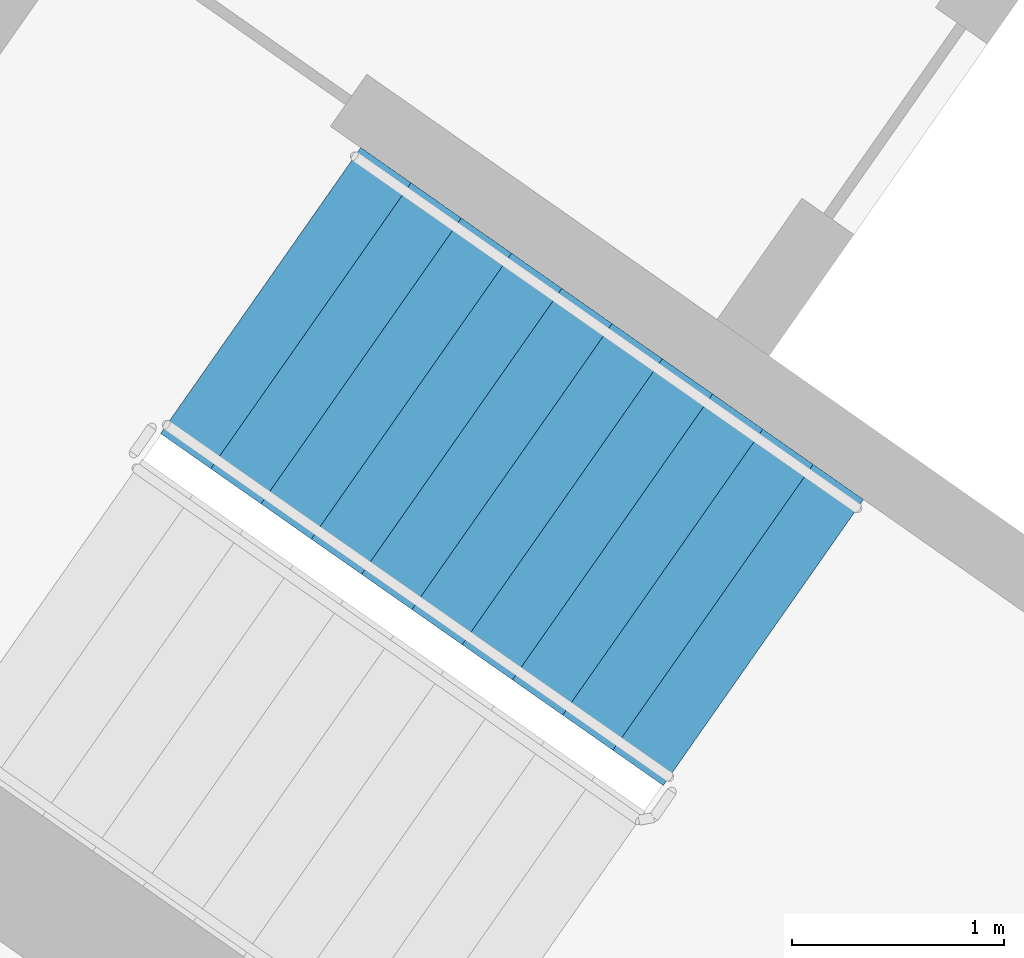
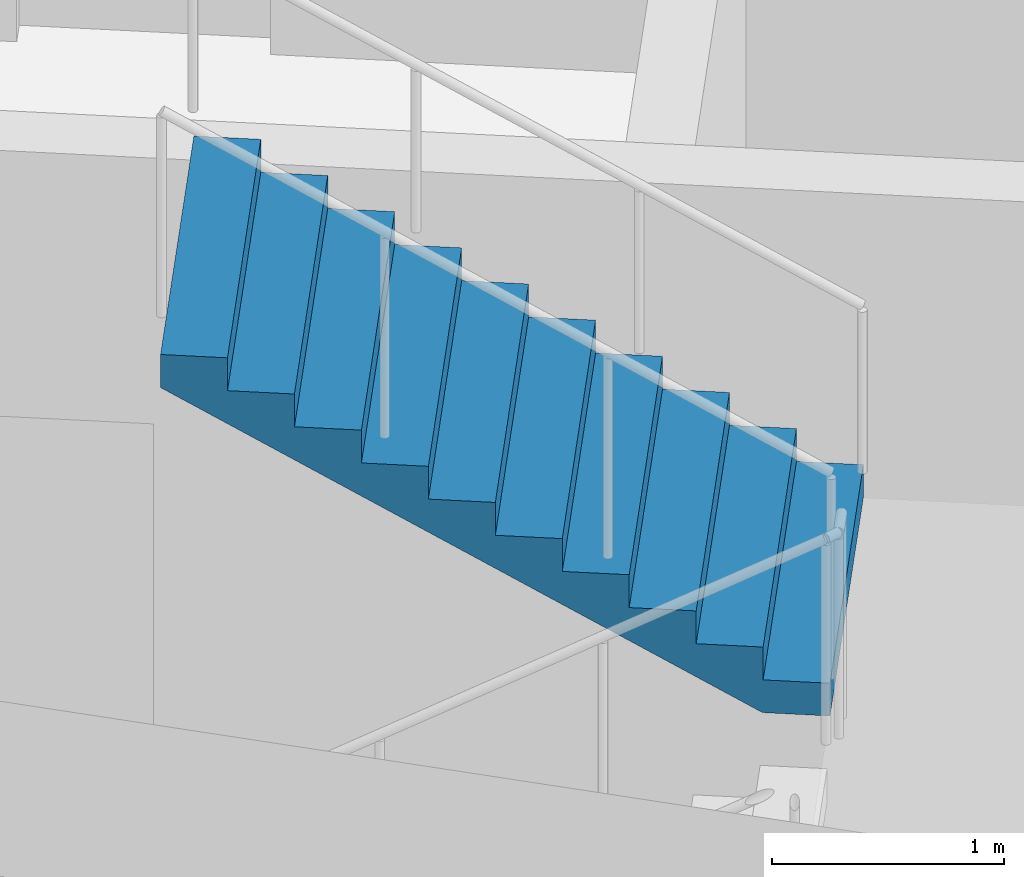
# One storey, part 11 of 28: 1 stair flight, 1 element without a shape of its own.
"""IFC4 building model written with IfcOpenShell, lengths in metres."""

from ifc_helpers import new_model, si_unit, direction, frame, origin, place, context, subcontext, project, spatial, faceted_brep, material, type_object, element, aggregate, save


model = new_model("IFC4")

# Units and contexts
model_context = context("Model", 3, precision=1e-05, world=origin(), true_north=direction((0.0, 1.0)))
body_context = subcontext(model_context, "Body", "Model", "MODEL_VIEW")
ifc_project = project(units=[si_unit("LENGTHUNIT", "METRE"), si_unit("AREAUNIT", "SQUARE_METRE"), si_unit("VOLUMEUNIT", "CUBIC_METRE"), si_unit("PLANEANGLEUNIT", "RADIAN"), si_unit("MASSUNIT", "GRAM", prefix="KILO")], contexts=[model_context])

# Site, building, storey
site_placement = place(None, origin())
site = spatial("IfcSite", under=ifc_project, at=site_placement, CompositionType="ELEMENT")
building_placement = place(site_placement, origin())
building = spatial("IfcBuilding", under=site, at=building_placement, Name="Qamariyya Broadcast Tower", CompositionType="ELEMENT")
storey_placement = place(building_placement, frame((0.0, 0.0, 277.10009765625)))
storey = spatial("IfcBuildingStorey", under=building, at=storey_placement, Name="L67", CompositionType="ELEMENT", Elevation=277.10009765625)

# Stair, stair flight
ifc_material = material(Name="Concrete C50/60", Category="concrete")
stair_type = type_object("IfcStairType", Name="Exit stair 22 risers of 173 mm", PredefinedType="HALF_TURN_STAIR", material=ifc_material)
stair_placement = place(storey_placement, origin())
stair = element("IfcStair", 1, at=stair_placement, inside=storey, type_object=stair_type, Name="L67 Stair W1", PredefinedType="HALF_TURN_STAIR")
stair_flight_type = type_object("IfcStairFlightType", Name="Exit stair flight 11 risers of 173 mm", PredefinedType="STRAIGHT", material=ifc_material)
stair_flight_placement = place(storey_placement, frame((-43.660888671875, -57.17138671875, 1.89990234375), z_axis=(0.0, 0.0, 1.0), x_axis=(-0.819152044289, 0.573576436351, 0.0)))
stair_flight = element("IfcStairFlight", 2, at=stair_flight_placement, type_object=stair_flight_type, Name="ST-W1 flight 2", NumberOfRisers=11, NumberOfTreads=10, PredefinedType="STRAIGHT", RiserHeight=0.172727273, TreadLength=0.29, context=body_context, shape_type="Brep", body=[
    faceted_brep([(0.0, 0.824951171875, 0.0), (0.0, 0.824951171875, 0.172607421875), (0.2900390625, 0.824951171875, 0.172607421875), (0.2900390625, 0.824951171875, 0.345458984375), (0.580078125, 0.824951171875, 0.345458984375), (0.580078125, 0.824951171875, 0.51806640625), (0.8701171875, 0.824951171875, 0.51806640625), (0.8701171875, 0.824951171875, 0.69091796875), (1.159912109375, 0.824951171875, 0.69091796875), (1.159912109375, 0.824951171875, 0.863525390625), (1.449951171875, 0.824951171875, 0.863525390625), (1.449951171875, 0.824951171875, 1.036376953125), (1.739990234375, 0.824951171875, 1.036376953125), (1.739990234375, 0.824951171875, 1.208984375), (2.030029296875, 0.824951171875, 1.208984375), (2.030029296875, 0.824951171875, 1.3818359375), (2.320068359375, 0.824951171875, 1.3818359375), (2.320068359375, 0.824951171875, 1.554443359375), (2.610107421875, 0.824951171875, 1.554443359375), (2.610107421875, 0.824951171875, 1.727294921875), (2.89990234375, 0.824951171875, 1.727294921875), (2.89990234375, 0.824951171875, 1.552734375), (0.29296875, 0.824951171875, 0.0), (0.29296875, -0.824951171875, 0.0), (2.89990234375, -0.824951171875, 1.552734375), (2.89990234375, -0.824951171875, 1.727294921875), (2.610107421875, -0.824951171875, 1.727294921875), (2.610107421875, -0.824951171875, 1.554443359375), (2.320068359375, -0.824951171875, 1.554443359375), (2.320068359375, -0.824951171875, 1.3818359375), (2.030029296875, -0.824951171875, 1.3818359375), (2.030029296875, -0.824951171875, 1.208984375), (1.739990234375, -0.824951171875, 1.208984375), (1.739990234375, -0.824951171875, 1.036376953125), (1.449951171875, -0.824951171875, 1.036376953125), (1.449951171875, -0.824951171875, 0.863525390625), (1.159912109375, -0.824951171875, 0.863525390625), (1.159912109375, -0.824951171875, 0.69091796875), (0.8701171875, -0.824951171875, 0.69091796875), (0.8701171875, -0.824951171875, 0.51806640625), (0.580078125, -0.824951171875, 0.51806640625), (0.580078125, -0.824951171875, 0.345458984375), (0.2900390625, -0.824951171875, 0.345458984375), (0.2900390625, -0.824951171875, 0.172607421875), (0.0, -0.824951171875, 0.172607421875), (0.0, -0.824951171875, 0.0), (0.0, 0.10009765625, 0.0), (0.0, 0.086669921875, 0.0), (0.0, 0.0732421875, 0.0), (0.0, 0.06005859375, 0.0), (0.0, 0.046630859375, 0.0), (0.0, 0.033447265625, 0.0), (0.0, 0.02001953125, 0.0), (0.0, 0.006591796875, 0.0), (0.0, -0.006591796875, 0.0), (0.0, -0.02001953125, 0.0), (0.0, -0.033447265625, 0.0), (0.0, -0.046630859375, 0.0), (0.0, -0.06005859375, 0.0), (0.0, -0.0732421875, 0.0), (0.0, -0.086669921875, 0.0), (0.0, -0.10009765625, 0.0), (0.0, -0.10009765625, 0.172607421875), (0.0, -0.086669921875, 0.172607421875), (0.0, -0.0732421875, 0.172607421875), (0.0, -0.06005859375, 0.172607421875), (0.0, -0.046630859375, 0.172607421875), (0.0, -0.033447265625, 0.172607421875), (0.0, -0.02001953125, 0.172607421875), (0.0, -0.006591796875, 0.172607421875), (0.0, 0.006591796875, 0.172607421875), (0.0, 0.02001953125, 0.172607421875), (0.0, 0.033447265625, 0.172607421875), (0.0, 0.046630859375, 0.172607421875), (0.0, 0.06005859375, 0.172607421875), (0.0, 0.0732421875, 0.172607421875), (0.0, 0.086669921875, 0.172607421875), (0.0, 0.10009765625, 0.172607421875), (0.2900390625, -0.10009765625, 0.172607421875), (0.2900390625, -0.086669921875, 0.172607421875), (0.2900390625, -0.0732421875, 0.172607421875), (0.2900390625, -0.06005859375, 0.172607421875), (0.2900390625, -0.046630859375, 0.172607421875), (0.2900390625, -0.033447265625, 0.172607421875), (0.2900390625, -0.02001953125, 0.172607421875), (0.2900390625, -0.006591796875, 0.172607421875), (0.2900390625, 0.006591796875, 0.172607421875), (0.2900390625, 0.02001953125, 0.172607421875), (0.2900390625, 0.033447265625, 0.172607421875), (0.2900390625, 0.046630859375, 0.172607421875), (0.2900390625, 0.06005859375, 0.172607421875), (0.2900390625, 0.0732421875, 0.172607421875), (0.2900390625, 0.086669921875, 0.172607421875), (0.2900390625, 0.10009765625, 0.172607421875), (0.2900390625, -0.10009765625, 0.345458984375), (0.2900390625, -0.086669921875, 0.345458984375), (0.2900390625, -0.0732421875, 0.345458984375), (0.2900390625, -0.06005859375, 0.345458984375), (0.2900390625, -0.046630859375, 0.345458984375), (0.2900390625, -0.033447265625, 0.345458984375), (0.2900390625, -0.02001953125, 0.345458984375), (0.2900390625, -0.006591796875, 0.345458984375), (0.2900390625, 0.006591796875, 0.345458984375), (0.2900390625, 0.02001953125, 0.345458984375), (0.2900390625, 0.033447265625, 0.345458984375), (0.2900390625, 0.046630859375, 0.345458984375), (0.2900390625, 0.06005859375, 0.345458984375), (0.2900390625, 0.0732421875, 0.345458984375), (0.2900390625, 0.086669921875, 0.345458984375), (0.2900390625, 0.10009765625, 0.345458984375), (0.580078125, -0.10009765625, 0.345458984375), (0.580078125, -0.086669921875, 0.345458984375), (0.580078125, -0.0732421875, 0.345458984375), (0.580078125, -0.06005859375, 0.345458984375), (0.580078125, -0.046630859375, 0.345458984375), (0.580078125, -0.033447265625, 0.345458984375), (0.580078125, -0.02001953125, 0.345458984375), (0.580078125, -0.006591796875, 0.345458984375), (0.580078125, 0.006591796875, 0.345458984375), (0.580078125, 0.02001953125, 0.345458984375), (0.580078125, 0.033447265625, 0.345458984375), (0.580078125, 0.046630859375, 0.345458984375), (0.580078125, 0.06005859375, 0.345458984375), (0.580078125, 0.0732421875, 0.345458984375), (0.580078125, 0.086669921875, 0.345458984375), (0.580078125, 0.10009765625, 0.345458984375), (0.580078125, -0.10009765625, 0.51806640625), (0.580078125, -0.086669921875, 0.51806640625), (0.580078125, -0.0732421875, 0.51806640625), (0.580078125, -0.06005859375, 0.51806640625), (0.580078125, -0.046630859375, 0.51806640625), (0.580078125, -0.033447265625, 0.51806640625), (0.580078125, -0.02001953125, 0.51806640625), (0.580078125, -0.006591796875, 0.51806640625), (0.580078125, 0.006591796875, 0.51806640625), (0.580078125, 0.02001953125, 0.51806640625), (0.580078125, 0.033447265625, 0.51806640625), (0.580078125, 0.046630859375, 0.51806640625), (0.580078125, 0.06005859375, 0.51806640625), (0.580078125, 0.0732421875, 0.51806640625), (0.580078125, 0.086669921875, 0.51806640625), (0.580078125, 0.10009765625, 0.51806640625), (0.8701171875, -0.10009765625, 0.51806640625), (0.8701171875, -0.086669921875, 0.51806640625), (0.8701171875, -0.0732421875, 0.51806640625), (0.8701171875, -0.06005859375, 0.51806640625), (0.8701171875, -0.046630859375, 0.51806640625), (0.8701171875, -0.033447265625, 0.51806640625), (0.8701171875, -0.02001953125, 0.51806640625), (0.8701171875, -0.006591796875, 0.51806640625), (0.8701171875, 0.006591796875, 0.51806640625), (0.8701171875, 0.02001953125, 0.51806640625), (0.8701171875, 0.033447265625, 0.51806640625), (0.8701171875, 0.046630859375, 0.51806640625), (0.8701171875, 0.06005859375, 0.51806640625), (0.8701171875, 0.0732421875, 0.51806640625), (0.8701171875, 0.086669921875, 0.51806640625), (0.8701171875, 0.10009765625, 0.51806640625), (0.8701171875, -0.10009765625, 0.69091796875), (0.8701171875, -0.086669921875, 0.69091796875), (0.8701171875, -0.0732421875, 0.69091796875), (0.8701171875, -0.06005859375, 0.69091796875), (0.8701171875, -0.046630859375, 0.69091796875), (0.8701171875, -0.033447265625, 0.69091796875), (0.8701171875, -0.02001953125, 0.69091796875), (0.8701171875, -0.006591796875, 0.69091796875), (0.8701171875, 0.006591796875, 0.69091796875), (0.8701171875, 0.02001953125, 0.69091796875), (0.8701171875, 0.033447265625, 0.69091796875), (0.8701171875, 0.046630859375, 0.69091796875), (0.8701171875, 0.06005859375, 0.69091796875), (0.8701171875, 0.0732421875, 0.69091796875), (0.8701171875, 0.086669921875, 0.69091796875), (0.8701171875, 0.10009765625, 0.69091796875), (1.159912109375, -0.10009765625, 0.69091796875), (1.159912109375, -0.086669921875, 0.69091796875), (1.159912109375, -0.0732421875, 0.69091796875), (1.159912109375, -0.06005859375, 0.69091796875), (1.159912109375, -0.046630859375, 0.69091796875), (1.159912109375, -0.033447265625, 0.69091796875), (1.159912109375, -0.02001953125, 0.69091796875), (1.159912109375, -0.006591796875, 0.69091796875), (1.159912109375, 0.006591796875, 0.69091796875), (1.159912109375, 0.02001953125, 0.69091796875), (1.159912109375, 0.033447265625, 0.69091796875), (1.159912109375, 0.046630859375, 0.69091796875), (1.159912109375, 0.06005859375, 0.69091796875), (1.159912109375, 0.0732421875, 0.69091796875), (1.159912109375, 0.086669921875, 0.69091796875), (1.159912109375, 0.10009765625, 0.69091796875), (1.159912109375, -0.10009765625, 0.863525390625), (1.159912109375, -0.086669921875, 0.863525390625), (1.159912109375, -0.0732421875, 0.863525390625), (1.159912109375, -0.06005859375, 0.863525390625), (1.159912109375, -0.046630859375, 0.863525390625), (1.159912109375, -0.033447265625, 0.863525390625), (1.159912109375, -0.02001953125, 0.863525390625), (1.159912109375, -0.006591796875, 0.863525390625), (1.159912109375, 0.006591796875, 0.863525390625), (1.159912109375, 0.02001953125, 0.863525390625), (1.159912109375, 0.033447265625, 0.863525390625), (1.159912109375, 0.046630859375, 0.863525390625), (1.159912109375, 0.06005859375, 0.863525390625), (1.159912109375, 0.0732421875, 0.863525390625), (1.159912109375, 0.086669921875, 0.863525390625), (1.159912109375, 0.10009765625, 0.863525390625), (1.449951171875, -0.10009765625, 0.863525390625), (1.449951171875, -0.086669921875, 0.863525390625), (1.449951171875, -0.0732421875, 0.863525390625), (1.449951171875, -0.06005859375, 0.863525390625), (1.449951171875, -0.046630859375, 0.863525390625), (1.449951171875, -0.033447265625, 0.863525390625), (1.449951171875, -0.02001953125, 0.863525390625), (1.449951171875, -0.006591796875, 0.863525390625), (1.449951171875, 0.006591796875, 0.863525390625), (1.449951171875, 0.02001953125, 0.863525390625), (1.449951171875, 0.033447265625, 0.863525390625), (1.449951171875, 0.046630859375, 0.863525390625), (1.449951171875, 0.06005859375, 0.863525390625), (1.449951171875, 0.0732421875, 0.863525390625), (1.449951171875, 0.086669921875, 0.863525390625), (1.449951171875, 0.10009765625, 0.863525390625), (1.449951171875, -0.10009765625, 1.036376953125), (1.449951171875, -0.086669921875, 1.036376953125), (1.449951171875, -0.0732421875, 1.036376953125), (1.449951171875, -0.06005859375, 1.036376953125), (1.449951171875, -0.046630859375, 1.036376953125), (1.449951171875, -0.033447265625, 1.036376953125), (1.449951171875, -0.02001953125, 1.036376953125), (1.449951171875, -0.006591796875, 1.036376953125), (1.449951171875, 0.006591796875, 1.036376953125), (1.449951171875, 0.02001953125, 1.036376953125), (1.449951171875, 0.033447265625, 1.036376953125), (1.449951171875, 0.046630859375, 1.036376953125), (1.449951171875, 0.06005859375, 1.036376953125), (1.449951171875, 0.0732421875, 1.036376953125), (1.449951171875, 0.086669921875, 1.036376953125), (1.449951171875, 0.10009765625, 1.036376953125), (1.739990234375, -0.10009765625, 1.036376953125), (1.739990234375, -0.086669921875, 1.036376953125), (1.739990234375, -0.0732421875, 1.036376953125), (1.739990234375, -0.06005859375, 1.036376953125), (1.739990234375, -0.046630859375, 1.036376953125), (1.739990234375, -0.033447265625, 1.036376953125), (1.739990234375, -0.02001953125, 1.036376953125), (1.739990234375, -0.006591796875, 1.036376953125), (1.739990234375, 0.006591796875, 1.036376953125), (1.739990234375, 0.02001953125, 1.036376953125), (1.739990234375, 0.033447265625, 1.036376953125), (1.739990234375, 0.046630859375, 1.036376953125), (1.739990234375, 0.06005859375, 1.036376953125), (1.739990234375, 0.0732421875, 1.036376953125), (1.739990234375, 0.086669921875, 1.036376953125), (1.739990234375, 0.10009765625, 1.036376953125), (1.739990234375, -0.10009765625, 1.208984375), (1.739990234375, -0.086669921875, 1.208984375), (1.739990234375, -0.0732421875, 1.208984375), (1.739990234375, -0.06005859375, 1.208984375), (1.739990234375, -0.046630859375, 1.208984375), (1.739990234375, -0.033447265625, 1.208984375), (1.739990234375, -0.02001953125, 1.208984375), (1.739990234375, -0.006591796875, 1.208984375), (1.739990234375, 0.006591796875, 1.208984375), (1.739990234375, 0.02001953125, 1.208984375), (1.739990234375, 0.033447265625, 1.208984375), (1.739990234375, 0.046630859375, 1.208984375), (1.739990234375, 0.06005859375, 1.208984375), (1.739990234375, 0.0732421875, 1.208984375), (1.739990234375, 0.086669921875, 1.208984375), (1.739990234375, 0.10009765625, 1.208984375), (2.030029296875, -0.10009765625, 1.208984375), (2.030029296875, -0.086669921875, 1.208984375), (2.030029296875, -0.0732421875, 1.208984375), (2.030029296875, -0.06005859375, 1.208984375), (2.030029296875, -0.046630859375, 1.208984375), (2.030029296875, -0.033447265625, 1.208984375), (2.030029296875, -0.02001953125, 1.208984375), (2.030029296875, -0.006591796875, 1.208984375), (2.030029296875, 0.006591796875, 1.208984375), (2.030029296875, 0.02001953125, 1.208984375), (2.030029296875, 0.033447265625, 1.208984375), (2.030029296875, 0.046630859375, 1.208984375), (2.030029296875, 0.06005859375, 1.208984375), (2.030029296875, 0.0732421875, 1.208984375), (2.030029296875, 0.086669921875, 1.208984375), (2.030029296875, 0.10009765625, 1.208984375), (2.030029296875, -0.10009765625, 1.3818359375), (2.030029296875, -0.086669921875, 1.3818359375), (2.030029296875, -0.0732421875, 1.3818359375), (2.030029296875, -0.06005859375, 1.3818359375), (2.030029296875, -0.046630859375, 1.3818359375), (2.030029296875, -0.033447265625, 1.3818359375), (2.030029296875, -0.02001953125, 1.3818359375), (2.030029296875, -0.006591796875, 1.3818359375), (2.030029296875, 0.006591796875, 1.3818359375), (2.030029296875, 0.02001953125, 1.3818359375), (2.030029296875, 0.033447265625, 1.3818359375), (2.030029296875, 0.046630859375, 1.3818359375), (2.030029296875, 0.06005859375, 1.3818359375), (2.030029296875, 0.0732421875, 1.3818359375), (2.030029296875, 0.086669921875, 1.3818359375), (2.030029296875, 0.10009765625, 1.3818359375), (2.320068359375, -0.10009765625, 1.3818359375), (2.320068359375, -0.086669921875, 1.3818359375), (2.320068359375, -0.0732421875, 1.3818359375), (2.320068359375, -0.06005859375, 1.3818359375), (2.320068359375, -0.046630859375, 1.3818359375), (2.320068359375, -0.033447265625, 1.3818359375), (2.320068359375, -0.02001953125, 1.3818359375), (2.320068359375, -0.006591796875, 1.3818359375), (2.320068359375, 0.006591796875, 1.3818359375), (2.320068359375, 0.02001953125, 1.3818359375), (2.320068359375, 0.033447265625, 1.3818359375), (2.320068359375, 0.046630859375, 1.3818359375), (2.320068359375, 0.06005859375, 1.3818359375), (2.320068359375, 0.0732421875, 1.3818359375), (2.320068359375, 0.086669921875, 1.3818359375), (2.320068359375, 0.10009765625, 1.3818359375), (2.320068359375, -0.10009765625, 1.554443359375), (2.320068359375, -0.086669921875, 1.554443359375), (2.320068359375, -0.0732421875, 1.554443359375), (2.320068359375, -0.06005859375, 1.554443359375), (2.320068359375, -0.046630859375, 1.554443359375), (2.320068359375, -0.033447265625, 1.554443359375), (2.320068359375, -0.02001953125, 1.554443359375), (2.320068359375, -0.006591796875, 1.554443359375), (2.320068359375, 0.006591796875, 1.554443359375), (2.320068359375, 0.02001953125, 1.554443359375), (2.320068359375, 0.033447265625, 1.554443359375), (2.320068359375, 0.046630859375, 1.554443359375), (2.320068359375, 0.06005859375, 1.554443359375), (2.320068359375, 0.0732421875, 1.554443359375), (2.320068359375, 0.086669921875, 1.554443359375), (2.320068359375, 0.10009765625, 1.554443359375), (2.610107421875, -0.10009765625, 1.554443359375), (2.610107421875, -0.086669921875, 1.554443359375), (2.610107421875, -0.0732421875, 1.554443359375), (2.610107421875, -0.06005859375, 1.554443359375), (2.610107421875, -0.046630859375, 1.554443359375), (2.610107421875, -0.033447265625, 1.554443359375), (2.610107421875, -0.02001953125, 1.554443359375), (2.610107421875, -0.006591796875, 1.554443359375), (2.610107421875, 0.006591796875, 1.554443359375), (2.610107421875, 0.02001953125, 1.554443359375), (2.610107421875, 0.033447265625, 1.554443359375), (2.610107421875, 0.046630859375, 1.554443359375), (2.610107421875, 0.06005859375, 1.554443359375), (2.610107421875, 0.0732421875, 1.554443359375), (2.610107421875, 0.086669921875, 1.554443359375), (2.610107421875, 0.10009765625, 1.554443359375), (2.610107421875, -0.10009765625, 1.727294921875), (2.610107421875, -0.086669921875, 1.727294921875), (2.610107421875, -0.0732421875, 1.727294921875), (2.610107421875, -0.06005859375, 1.727294921875), (2.610107421875, -0.046630859375, 1.727294921875), (2.610107421875, -0.033447265625, 1.727294921875), (2.610107421875, -0.02001953125, 1.727294921875), (2.610107421875, -0.006591796875, 1.727294921875), (2.610107421875, 0.006591796875, 1.727294921875), (2.610107421875, 0.02001953125, 1.727294921875), (2.610107421875, 0.033447265625, 1.727294921875), (2.610107421875, 0.046630859375, 1.727294921875), (2.610107421875, 0.06005859375, 1.727294921875), (2.610107421875, 0.0732421875, 1.727294921875), (2.610107421875, 0.086669921875, 1.727294921875), (2.610107421875, 0.10009765625, 1.727294921875), (2.89990234375, -0.10009765625, 1.727294921875), (2.89990234375, -0.086669921875, 1.727294921875), (2.89990234375, -0.0732421875, 1.727294921875), (2.89990234375, -0.06005859375, 1.727294921875), (2.89990234375, -0.046630859375, 1.727294921875), (2.89990234375, -0.033447265625, 1.727294921875), (2.89990234375, -0.02001953125, 1.727294921875), (2.89990234375, -0.006591796875, 1.727294921875), (2.89990234375, 0.006591796875, 1.727294921875), (2.89990234375, 0.02001953125, 1.727294921875), (2.89990234375, 0.033447265625, 1.727294921875), (2.89990234375, 0.046630859375, 1.727294921875), (2.89990234375, 0.06005859375, 1.727294921875), (2.89990234375, 0.0732421875, 1.727294921875), (2.89990234375, 0.086669921875, 1.727294921875), (2.89990234375, 0.10009765625, 1.727294921875), (2.89990234375, -0.10009765625, 1.552734375), (2.89990234375, -0.086669921875, 1.552734375), (2.89990234375, -0.0732421875, 1.552734375), (2.89990234375, -0.06005859375, 1.552734375), (2.89990234375, -0.046630859375, 1.552734375), (2.89990234375, -0.033447265625, 1.552734375), (2.89990234375, -0.02001953125, 1.552734375), (2.89990234375, -0.006591796875, 1.552734375), (2.89990234375, 0.006591796875, 1.552734375), (2.89990234375, 0.02001953125, 1.552734375), (2.89990234375, 0.033447265625, 1.552734375), (2.89990234375, 0.046630859375, 1.552734375), (2.89990234375, 0.06005859375, 1.552734375), (2.89990234375, 0.0732421875, 1.552734375), (2.89990234375, 0.086669921875, 1.552734375), (2.89990234375, 0.10009765625, 1.552734375), (0.29296875, -0.10009765625, 0.0), (0.29296875, -0.086669921875, 0.0), (0.29296875, -0.0732421875, 0.0), (0.29296875, -0.06005859375, 0.0), (0.29296875, -0.046630859375, 0.0), (0.29296875, -0.033447265625, 0.0), (0.29296875, -0.02001953125, 0.0), (0.29296875, -0.006591796875, 0.0), (0.29296875, 0.006591796875, 0.0), (0.29296875, 0.02001953125, 0.0), (0.29296875, 0.033447265625, 0.0), (0.29296875, 0.046630859375, 0.0), (0.29296875, 0.06005859375, 0.0), (0.29296875, 0.0732421875, 0.0), (0.29296875, 0.086669921875, 0.0), (0.29296875, 0.10009765625, 0.0)], [[[0, 1, 2, 3, 4, 5, 6, 7, 8, 9, 10, 11, 12, 13, 14, 15, 16, 17, 18, 19, 20, 21, 22]], [[23, 24, 25, 26, 27, 28, 29, 30, 31, 32, 33, 34, 35, 36, 37, 38, 39, 40, 41, 42, 43, 44, 45]], [[0, 46, 47, 48, 49, 50, 51, 52, 53, 54, 55, 56, 57, 58, 59, 60, 61, 45, 44, 62, 63, 64, 65, 66, 67, 68, 69, 70, 71, 72, 73, 74, 75, 76, 77, 1]], [[1, 77, 76, 75, 74, 73, 72, 71, 70, 69, 68, 67, 66, 65, 64, 63, 62, 44, 43, 78, 79, 80, 81, 82, 83, 84, 85, 86, 87, 88, 89, 90, 91, 92, 93, 2]], [[2, 93, 92, 91, 90, 89, 88, 87, 86, 85, 84, 83, 82, 81, 80, 79, 78, 43, 42, 94, 95, 96, 97, 98, 99, 100, 101, 102, 103, 104, 105, 106, 107, 108, 109, 3]], [[3, 109, 108, 107, 106, 105, 104, 103, 102, 101, 100, 99, 98, 97, 96, 95, 94, 42, 41, 110, 111, 112, 113, 114, 115, 116, 117, 118, 119, 120, 121, 122, 123, 124, 125, 4]], [[4, 125, 124, 123, 122, 121, 120, 119, 118, 117, 116, 115, 114, 113, 112, 111, 110, 41, 40, 126, 127, 128, 129, 130, 131, 132, 133, 134, 135, 136, 137, 138, 139, 140, 141, 5]], [[5, 141, 140, 139, 138, 137, 136, 135, 134, 133, 132, 131, 130, 129, 128, 127, 126, 40, 39, 142, 143, 144, 145, 146, 147, 148, 149, 150, 151, 152, 153, 154, 155, 156, 157, 6]], [[6, 157, 156, 155, 154, 153, 152, 151, 150, 149, 148, 147, 146, 145, 144, 143, 142, 39, 38, 158, 159, 160, 161, 162, 163, 164, 165, 166, 167, 168, 169, 170, 171, 172, 173, 7]], [[7, 173, 172, 171, 170, 169, 168, 167, 166, 165, 164, 163, 162, 161, 160, 159, 158, 38, 37, 174, 175, 176, 177, 178, 179, 180, 181, 182, 183, 184, 185, 186, 187, 188, 189, 8]], [[8, 189, 188, 187, 186, 185, 184, 183, 182, 181, 180, 179, 178, 177, 176, 175, 174, 37, 36, 190, 191, 192, 193, 194, 195, 196, 197, 198, 199, 200, 201, 202, 203, 204, 205, 9]], [[9, 205, 204, 203, 202, 201, 200, 199, 198, 197, 196, 195, 194, 193, 192, 191, 190, 36, 35, 206, 207, 208, 209, 210, 211, 212, 213, 214, 215, 216, 217, 218, 219, 220, 221, 10]], [[10, 221, 220, 219, 218, 217, 216, 215, 214, 213, 212, 211, 210, 209, 208, 207, 206, 35, 34, 222, 223, 224, 225, 226, 227, 228, 229, 230, 231, 232, 233, 234, 235, 236, 237, 11]], [[11, 237, 236, 235, 234, 233, 232, 231, 230, 229, 228, 227, 226, 225, 224, 223, 222, 34, 33, 238, 239, 240, 241, 242, 243, 244, 245, 246, 247, 248, 249, 250, 251, 252, 253, 12]], [[12, 253, 252, 251, 250, 249, 248, 247, 246, 245, 244, 243, 242, 241, 240, 239, 238, 33, 32, 254, 255, 256, 257, 258, 259, 260, 261, 262, 263, 264, 265, 266, 267, 268, 269, 13]], [[13, 269, 268, 267, 266, 265, 264, 263, 262, 261, 260, 259, 258, 257, 256, 255, 254, 32, 31, 270, 271, 272, 273, 274, 275, 276, 277, 278, 279, 280, 281, 282, 283, 284, 285, 14]], [[14, 285, 284, 283, 282, 281, 280, 279, 278, 277, 276, 275, 274, 273, 272, 271, 270, 31, 30, 286, 287, 288, 289, 290, 291, 292, 293, 294, 295, 296, 297, 298, 299, 300, 301, 15]], [[15, 301, 300, 299, 298, 297, 296, 295, 294, 293, 292, 291, 290, 289, 288, 287, 286, 30, 29, 302, 303, 304, 305, 306, 307, 308, 309, 310, 311, 312, 313, 314, 315, 316, 317, 16]], [[16, 317, 316, 315, 314, 313, 312, 311, 310, 309, 308, 307, 306, 305, 304, 303, 302, 29, 28, 318, 319, 320, 321, 322, 323, 324, 325, 326, 327, 328, 329, 330, 331, 332, 333, 17]], [[17, 333, 332, 331, 330, 329, 328, 327, 326, 325, 324, 323, 322, 321, 320, 319, 318, 28, 27, 334, 335, 336, 337, 338, 339, 340, 341, 342, 343, 344, 345, 346, 347, 348, 349, 18]], [[18, 349, 348, 347, 346, 345, 344, 343, 342, 341, 340, 339, 338, 337, 336, 335, 334, 27, 26, 350, 351, 352, 353, 354, 355, 356, 357, 358, 359, 360, 361, 362, 363, 364, 365, 19]], [[19, 365, 364, 363, 362, 361, 360, 359, 358, 357, 356, 355, 354, 353, 352, 351, 350, 26, 25, 366, 367, 368, 369, 370, 371, 372, 373, 374, 375, 376, 377, 378, 379, 380, 381, 20]], [[20, 381, 380, 379, 378, 377, 376, 375, 374, 373, 372, 371, 370, 369, 368, 367, 366, 25, 24, 382, 383, 384, 385, 386, 387, 388, 389, 390, 391, 392, 393, 394, 395, 396, 397, 21]], [[21, 397, 396, 395, 394, 393, 392, 391, 390, 389, 388, 387, 386, 385, 384, 383, 382, 24, 23, 398, 399, 400, 401, 402, 403, 404, 405, 406, 407, 408, 409, 410, 411, 412, 413, 22]], [[22, 413, 412, 411, 410, 409, 408, 407, 406, 405, 404, 403, 402, 401, 400, 399, 398, 23, 45, 61, 60, 59, 58, 57, 56, 55, 54, 53, 52, 51, 50, 49, 48, 47, 46, 0]]]),
])
aggregate(stair, [stair_flight])

save(model, "model.ifc")
